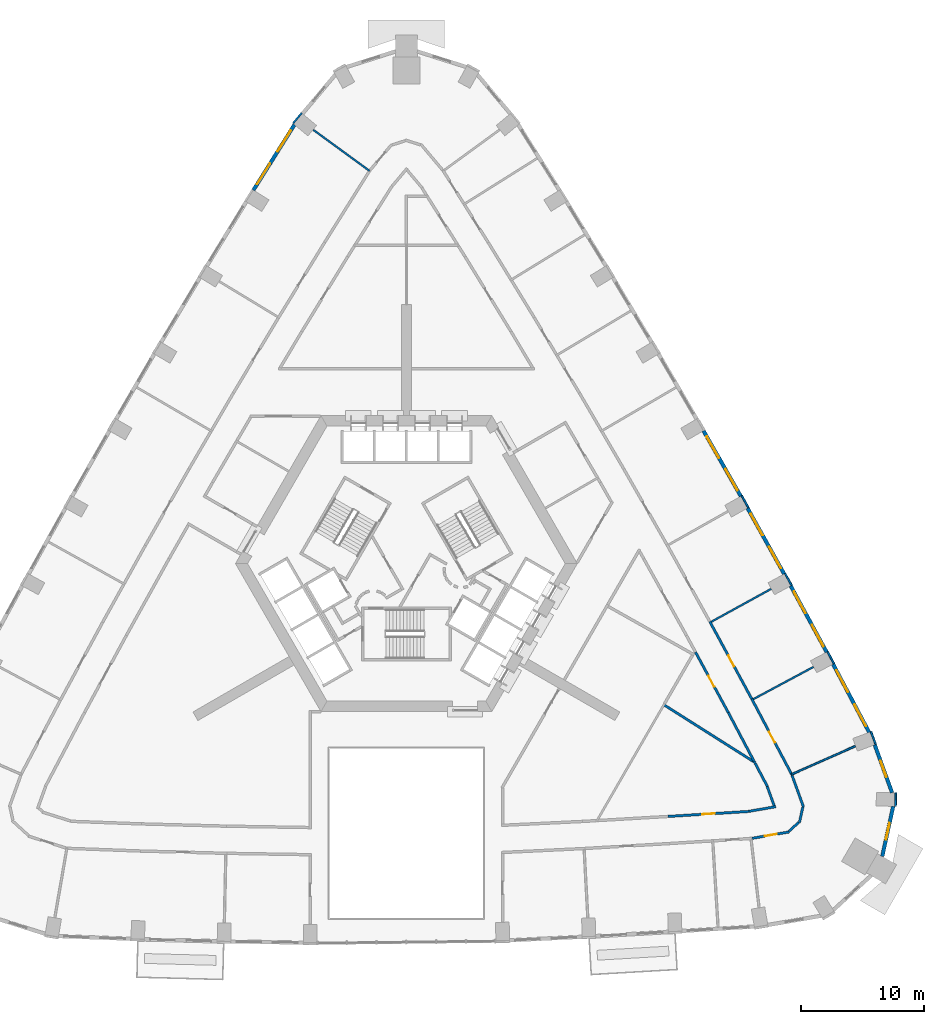
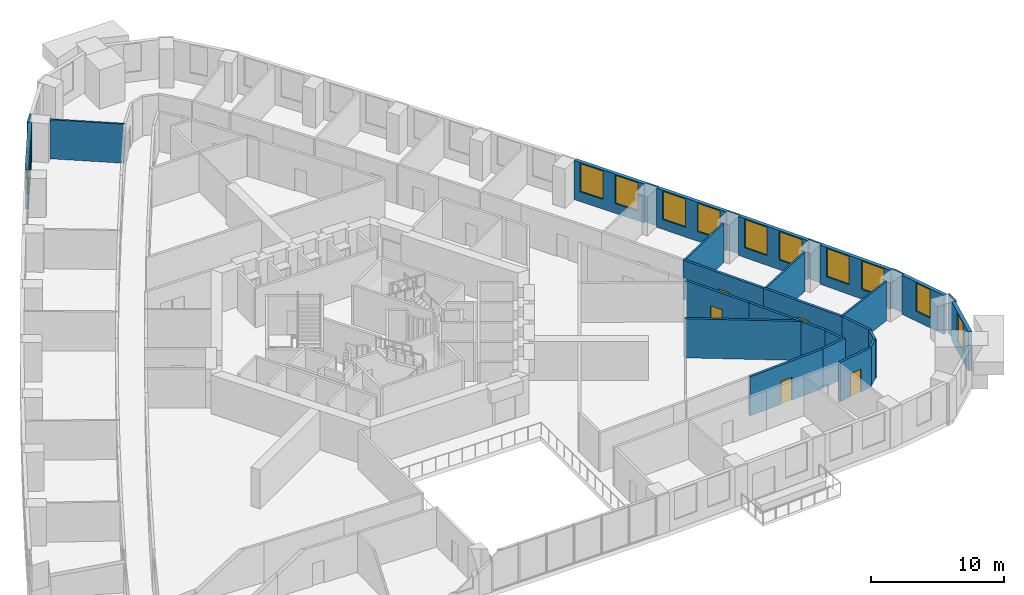
# One storey, part 11 of 15: 30 walls, 12 windows, 5 doors, 17 openings.
"""IFC4 building model written with IfcOpenShell, lengths in metres."""

from ifc_helpers import new_model, si_unit, direction, frame, frame_2d, origin, place, context, subcontext, project, spatial, rectangle, extrude, material, layer, layer_set, type_object, element, fill, save


model = new_model("IFC4")

# Units and contexts
model_context = context("Model", 3, precision=1e-05, world=origin(), true_north=direction((0.0, 1.0)))
body_context = subcontext(model_context, "Body", "Model", "MODEL_VIEW")
ifc_project = project(units=[si_unit("LENGTHUNIT", "METRE"), si_unit("AREAUNIT", "SQUARE_METRE"), si_unit("VOLUMEUNIT", "CUBIC_METRE"), si_unit("PLANEANGLEUNIT", "RADIAN"), si_unit("MASSUNIT", "GRAM", prefix="KILO")], contexts=[model_context])

# Site, building, storey
site_placement = place(None, origin())
site = spatial("IfcSite", under=ifc_project, at=site_placement, CompositionType="ELEMENT")
building_placement = place(site_placement, origin())
building = spatial("IfcBuilding", under=site, at=building_placement, Name="Entoto Arch Interchange Tower", CompositionType="ELEMENT")
storey_placement = place(building_placement, frame((0.0, 0.0, 128.60009765625)))
storey = spatial("IfcBuildingStorey", under=building, at=storey_placement, Name="L28", CompositionType="ELEMENT", Elevation=128.60009765625)

# Walls
ifc_material_1 = material(Name="Gypsum board partition on steel studs", Category="steel")
ifc_layer_1 = layer(ifc_material_1, 0.14990234375)
ifc_layer_set_1 = layer_set([ifc_layer_1], Name="Gypsum board partition on steel studs")
wall_type_1 = type_object("IfcWallType", Name="PARTITION 150", PredefinedType="PARTITIONING", material=ifc_layer_set_1)
wall_1_placement = place(storey_placement, frame((31.23291015625, -14.58203125, 0.0), z_axis=(0.0, 0.0, 1.0), x_axis=(0.914317360249, 0.404998474994, 0.0)))
element("IfcWall", 1, at=wall_1_placement, inside=storey, type_object=wall_type_1, Name="wall:L28:p136", PredefinedType="PARTITIONING", context=body_context, shape_type="SweptSolid", body=[
    extrude(rectangle(XDim=5.644775390625, YDim=0.14990234375, at=frame_2d((2.822265625, 0.0))), origin(), (0.0, 0.0, 1.0), 3.599853515625),
])
wall_2_placement = place(storey_placement, frame((28.123046875, -8.488037109375, 0.0), z_axis=(0.0, 0.0, 1.0), x_axis=(0.881406449288, 0.472358625573, 0.0)))
element("IfcWall", 2, at=wall_2_placement, inside=storey, type_object=wall_type_1, Name="wall:L28:p137", PredefinedType="PARTITIONING", context=body_context, shape_type="SweptSolid", body=[
    extrude(rectangle(XDim=5.52978515625, YDim=0.14990234375, at=frame_2d((2.764892578125, 0.0))), origin(), (0.0, 0.0, 1.0), 3.599853515625),
])
wall_3_placement = place(storey_placement, frame((24.718017578125, -2.214111328125, 0.0), z_axis=(0.0, 0.0, 1.0), x_axis=(0.876382720351, 0.481615331432, 0.0)))
element("IfcWall", 3, at=wall_3_placement, inside=storey, type_object=wall_type_1, Name="wall:L28:p138", PredefinedType="PARTITIONING", context=body_context, shape_type="SweptSolid", body=[
    extrude(rectangle(XDim=5.529541015625, YDim=0.14990234375, at=frame_2d((2.7646484375, 0.0))), origin(), (0.0, 0.0, 1.0), 3.599853515625),
])
wall_4_placement = place(storey_placement, frame((-2.989013671875, 34.340087890625, 0.0), z_axis=(0.0, 0.0, 1.0), x_axis=(-0.807932877043, 0.589274525322, 0.0)))
element("IfcWall", 4, at=wall_4_placement, inside=storey, type_object=wall_type_1, Name="wall:L28:p145", PredefinedType="PARTITIONING", context=body_context, shape_type="SweptSolid", body=[
    extrude(rectangle(XDim=5.64404296875, YDim=0.14990234375, at=frame_2d((2.822021484375, 0.0))), origin(), (0.0, 0.0, 1.0), 3.599853515625),
])

# Wall, opening, door
ifc_layer_2 = layer(ifc_material_1, 0.199951171875)
ifc_layer_set_2 = layer_set([ifc_layer_2], Name="Gypsum board partition on steel studs")
wall_type_2 = type_object("IfcWallType", Name="PARTITION 200", PredefinedType="PARTITIONING", material=ifc_layer_set_2)
wall_5_placement = place(storey_placement, frame((21.218017578125, -17.9951171875, 0.0), z_axis=(0.0, 0.0, 1.0), x_axis=(0.998092528214, 0.061735768594, 0.0)))
wall_5 = element("IfcWall", 5, at=wall_5_placement, inside=storey, type_object=wall_type_2, Name="wall:L28:p026", PredefinedType="PARTITIONING", context=body_context, shape_type="SweptSolid", body=[
    extrude(rectangle(XDim=6.576416015625, YDim=0.199951171875, at=frame_2d((3.2880859375, 0.0))), origin(), (0.0, 0.0, 1.0), 3.599853515625),
])
opening_1_placement = place(wall_5_placement, frame((2.7880859375, 0.0, 0.0)))
opening_1 = element("IfcOpeningElement", 6, at=opening_1_placement, cuts=wall_5, Name="Opening L28-D24", PredefinedType="OPENING", context=body_context, shape_type="SweptSolid", body=[
    extrude(rectangle(XDim=1.0, YDim=2.10009765625, at=frame_2d((0.5, 1.050048828125))), frame((0.0, 0.10986328125, 0.0), z_axis=(0.0, -1.0, 0.0), x_axis=(1.0, 0.0, 0.0)), (0.0, 0.0, 1.0), 0.219970703125),
])
ifc_material_2 = material(Name="Timber door leaf in Steel S235 frame", Category="steel")
door_type = type_object("IfcDoorType", Name="DOOR DS-10 1000x2100", OperationType="SINGLE_SWING_LEFT", PredefinedType="DOOR", material=ifc_material_2)
door_1_placement = place(opening_1_placement, origin())
door_1 = element("IfcDoor", 7, at=door_1_placement, inside=storey, type_object=door_type, Name="door:L28:24", OperationType="SINGLE_SWING_LEFT", OverallHeight=2.10009765625, OverallWidth=1.0, PredefinedType="DOOR", context=body_context, shape_type="SweptSolid", body=[
    extrude(rectangle(XDim=1.0, YDim=2.10009765625, at=frame_2d((0.5, 1.050048828125))), frame((0.0, 0.02490234375, 0.0), z_axis=(0.0, -1.0, 0.0), x_axis=(1.0, 0.0, 0.0)), (0.0, 0.0, 1.0), 0.050048828125),
])
fill(opening_1, door_1)

# Walls
wall_6_placement = place(storey_placement, frame((27.780029296875, -17.577880859375, 0.0), z_axis=(0.0, 0.0, 1.0), x_axis=(0.985534991456, 0.169472064409, 0.0)))
element("IfcWall", 8, at=wall_6_placement, inside=storey, type_object=wall_type_2, Name="wall:L28:p027", PredefinedType="PARTITIONING", context=body_context, shape_type="SweptSolid", body=[
    extrude(rectangle(XDim=2.19970703125, YDim=0.199951171875, at=frame_2d((1.099853515625, 0.0))), origin(), (0.0, 0.0, 1.0), 3.599853515625),
])
wall_7_placement = place(storey_placement, frame((29.81591796875, -17.1279296875, 0.0), z_axis=(0.0, 0.0, 1.0), x_axis=(-0.340726116699, 0.940162599447, 0.0)))
element("IfcWall", 9, at=wall_7_placement, inside=storey, type_object=wall_type_2, Name="wall:L28:p028", PredefinedType="PARTITIONING", context=body_context, shape_type="SweptSolid", body=[
    extrude(rectangle(XDim=1.657958984375, YDim=0.199951171875, at=frame_2d((0.8291015625, 0.0))), origin(), (0.0, 0.0, 1.0), 3.599853515625),
])
wall_8_placement = place(storey_placement, frame((29.263916015625, -15.56396484375, 0.0), z_axis=(0.0, 0.0, 1.0), x_axis=(-0.46760771465, 0.883936097917, 0.0)))
element("IfcWall", 10, at=wall_8_placement, inside=storey, type_object=wall_type_2, Name="wall:L28:p029", PredefinedType="PARTITIONING", context=body_context, shape_type="SweptSolid", body=[
    extrude(rectangle(XDim=2.123291015625, YDim=0.199951171875, at=frame_2d((1.0615234375, 0.0))), origin(), (0.0, 0.0, 1.0), 3.599853515625),
])
wall_9_placement = place(storey_placement, frame((28.177001953125, -13.510009765625, 0.0), z_axis=(0.0, 0.0, 1.0), x_axis=(-0.467580354248, 0.883950571198, 0.0)))
element("IfcWall", 11, at=wall_9_placement, inside=storey, type_object=wall_type_2, Name="wall:L28:p030", PredefinedType="PARTITIONING", context=body_context, shape_type="SweptSolid", body=[
    extrude(rectangle(XDim=4.452880859375, YDim=0.199951171875, at=frame_2d((2.2265625, 0.0))), origin(), (0.0, 0.0, 1.0), 3.599853515625),
])

# Wall, opening, door
wall_10_placement = place(storey_placement, frame((26.094970703125, -9.573974609375, 0.0), z_axis=(0.0, 0.0, 1.0), x_axis=(-0.476963271937, 0.878923226012, 0.0)))
wall_10 = element("IfcWall", 12, at=wall_10_placement, inside=storey, type_object=wall_type_2, Name="wall:L28:p031", PredefinedType="PARTITIONING", context=body_context, shape_type="SweptSolid", body=[
    extrude(rectangle(XDim=5.57275390625, YDim=0.199951171875, at=frame_2d((2.786376953125, 0.0))), origin(), (0.0, 0.0, 1.0), 3.599853515625),
])
opening_2_placement = place(wall_10_placement, frame((2.385986328125, 0.0, 0.0)))
opening_2 = element("IfcOpeningElement", 13, at=opening_2_placement, cuts=wall_10, Name="Opening L28-D25", PredefinedType="OPENING", context=body_context, shape_type="SweptSolid", body=[
    extrude(rectangle(XDim=1.0, YDim=2.10009765625, at=frame_2d((0.5, 1.050048828125))), frame((0.0, 0.10986328125, 0.0), z_axis=(0.0, -1.0, 0.0), x_axis=(1.0, 0.0, 0.0)), (0.0, 0.0, 1.0), 0.219970703125),
])
door_2_placement = place(opening_2_placement, origin())
door_2 = element("IfcDoor", 14, at=door_2_placement, inside=storey, type_object=door_type, Name="door:L28:25", OperationType="SINGLE_SWING_LEFT", OverallHeight=2.10009765625, OverallWidth=1.0, PredefinedType="DOOR", context=body_context, shape_type="SweptSolid", body=[
    extrude(rectangle(XDim=1.0, YDim=2.10009765625, at=frame_2d((0.5, 1.050048828125))), frame((0.0, 0.02490234375, 0.0), z_axis=(0.0, -1.0, 0.0), x_axis=(1.0, 0.0, 0.0)), (0.0, 0.0, 1.0), 0.050048828125),
])
fill(opening_2, door_2)

# Walls
wall_11_placement = place(storey_placement, frame((31.26806640625, -14.676025390625, 0.0), z_axis=(0.0, 0.0, 1.0), x_axis=(0.340269739222, -0.940327870782, 0.0)))
element("IfcWall", 15, at=wall_11_placement, inside=storey, type_object=wall_type_2, Name="wall:L28:p047", PredefinedType="PARTITIONING", context=body_context, shape_type="SweptSolid", body=[
    extrude(rectangle(XDim=2.715087890625, YDim=0.199951171875, at=frame_2d((1.357421875, 0.0))), origin(), (0.0, 0.0, 1.0), 3.599853515625),
])
wall_12_placement = place(storey_placement, frame((32.136962890625, -17.23193359375, 0.0), z_axis=(0.0, 0.0, 1.0), x_axis=(-0.214289506547, -0.976770191695, 0.0)))
element("IfcWall", 16, at=wall_12_placement, inside=storey, type_object=wall_type_2, Name="wall:L28:p048", PredefinedType="PARTITIONING", context=body_context, shape_type="SweptSolid", body=[
    extrude(rectangle(XDim=1.30224609375, YDim=0.199951171875, at=frame_2d((0.651123046875, 0.0))), origin(), (0.0, 0.0, 1.0), 3.599853515625),
])
wall_13_placement = place(storey_placement, frame((31.805908203125, -18.472900390625, 0.0), z_axis=(0.0, 0.0, 1.0), x_axis=(-0.739141286173, -0.673550413165, 0.0)))
element("IfcWall", 17, at=wall_13_placement, inside=storey, type_object=wall_type_2, Name="wall:L28:p049", PredefinedType="PARTITIONING", context=body_context, shape_type="SweptSolid", body=[
    extrude(rectangle(XDim=1.079345703125, YDim=0.199951171875, at=frame_2d((0.53955078125, 0.0))), origin(), (0.0, 0.0, 1.0), 3.599853515625),
])

# Wall, opening, door
wall_14_placement = place(storey_placement, frame((31.032958984375, -19.2509765625, 0.0), z_axis=(0.0, 0.0, 1.0), x_axis=(-0.985494394638, -0.169707979005, 0.0)))
wall_14 = element("IfcWall", 18, at=wall_14_placement, inside=storey, type_object=wall_type_2, Name="wall:L28:p050", PredefinedType="PARTITIONING", context=body_context, shape_type="SweptSolid", body=[
    extrude(rectangle(XDim=3.041259765625, YDim=0.199951171875, at=frame_2d((1.5205078125, 0.0))), origin(), (0.0, 0.0, 1.0), 3.599853515625),
])
opening_3_placement = place(wall_14_placement, frame((1.02099609375, 0.0, 0.0)))
opening_3 = element("IfcOpeningElement", 19, at=opening_3_placement, cuts=wall_14, Name="Opening L28-D04", PredefinedType="OPENING", context=body_context, shape_type="SweptSolid", body=[
    extrude(rectangle(XDim=1.0, YDim=2.10009765625, at=frame_2d((0.5, 1.050048828125))), frame((0.0, 0.10986328125, 0.0), z_axis=(0.0, -1.0, 0.0), x_axis=(1.0, 0.0, 0.0)), (0.0, 0.0, 1.0), 0.219970703125),
])
door_3_placement = place(opening_3_placement, origin())
door_3 = element("IfcDoor", 20, at=door_3_placement, inside=storey, type_object=door_type, Name="door:L28:04", OperationType="SINGLE_SWING_LEFT", OverallHeight=2.10009765625, OverallWidth=1.0, PredefinedType="DOOR", context=body_context, shape_type="SweptSolid", body=[
    extrude(rectangle(XDim=1.0, YDim=2.10009765625, at=frame_2d((0.5, 1.050048828125))), frame((0.0, 0.02490234375, 0.0), z_axis=(0.0, -1.0, 0.0), x_axis=(1.0, 0.0, 0.0)), (0.0, 0.0, 1.0), 0.050048828125),
])
fill(opening_3, door_3)

wall_15_placement = place(storey_placement, frame((27.9990234375, -8.468994140625, 0.0), z_axis=(0.0, 0.0, 1.0), x_axis=(0.467683043694, -0.883896244274, 0.0)))
wall_15 = element("IfcWall", 21, at=wall_15_placement, inside=storey, type_object=wall_type_2, Name="wall:L28:p051", PredefinedType="PARTITIONING", context=body_context, shape_type="SweptSolid", body=[
    extrude(rectangle(XDim=7.015380859375, YDim=0.199951171875, at=frame_2d((3.5078125, 0.0))), origin(), (0.0, 0.0, 1.0), 3.599853515625),
])
opening_4_placement = place(wall_15_placement, frame((3.008056640625, 0.0, 0.0)))
opening_4 = element("IfcOpeningElement", 22, at=opening_4_placement, cuts=wall_15, Name="Opening L28-D05", PredefinedType="OPENING", context=body_context, shape_type="SweptSolid", body=[
    extrude(rectangle(XDim=1.0, YDim=2.10009765625, at=frame_2d((0.5, 1.050048828125))), frame((0.0, 0.10986328125, 0.0), z_axis=(0.0, -1.0, 0.0), x_axis=(1.0, 0.0, 0.0)), (0.0, 0.0, 1.0), 0.219970703125),
])
door_4_placement = place(opening_4_placement, origin())
door_4 = element("IfcDoor", 23, at=door_4_placement, inside=storey, type_object=door_type, Name="door:L28:05", OperationType="SINGLE_SWING_LEFT", OverallHeight=2.10009765625, OverallWidth=1.0, PredefinedType="DOOR", context=body_context, shape_type="SweptSolid", body=[
    extrude(rectangle(XDim=1.0, YDim=2.10009765625, at=frame_2d((0.5, 1.050048828125))), frame((0.0, 0.02490234375, 0.0), z_axis=(0.0, -1.0, 0.0), x_axis=(1.0, 0.0, 0.0)), (0.0, 0.0, 1.0), 0.050048828125),
])
fill(opening_4, door_4)

wall_16_placement = place(storey_placement, frame((24.594970703125, -2.196044921875, 0.0), z_axis=(0.0, 0.0, 1.0), x_axis=(0.47695522124, -0.878927594818, 0.0)))
wall_16 = element("IfcWall", 24, at=wall_16_placement, inside=storey, type_object=wall_type_2, Name="wall:L28:p052", PredefinedType="PARTITIONING", context=body_context, shape_type="SweptSolid", body=[
    extrude(rectangle(XDim=7.136962890625, YDim=0.199951171875, at=frame_2d((3.568359375, 0.0))), origin(), (0.0, 0.0, 1.0), 3.599853515625),
])
opening_5_placement = place(wall_16_placement, frame((3.14404296875, 0.0, 0.0)))
opening_5 = element("IfcOpeningElement", 25, at=opening_5_placement, cuts=wall_16, Name="Opening L28-D06", PredefinedType="OPENING", context=body_context, shape_type="SweptSolid", body=[
    extrude(rectangle(XDim=1.0, YDim=2.10009765625, at=frame_2d((0.5, 1.050048828125))), frame((0.0, 0.10986328125, 0.0), z_axis=(0.0, -1.0, 0.0), x_axis=(1.0, 0.0, 0.0)), (0.0, 0.0, 1.0), 0.219970703125),
])
door_5_placement = place(opening_5_placement, origin())
door_5 = element("IfcDoor", 26, at=door_5_placement, inside=storey, type_object=door_type, Name="door:L28:06", OperationType="SINGLE_SWING_LEFT", OverallHeight=2.10009765625, OverallWidth=1.0, PredefinedType="DOOR", context=body_context, shape_type="SweptSolid", body=[
    extrude(rectangle(XDim=1.0, YDim=2.10009765625, at=frame_2d((0.5, 1.050048828125))), frame((0.0, 0.02490234375, 0.0), z_axis=(0.0, -1.0, 0.0), x_axis=(1.0, 0.0, 0.0)), (0.0, 0.0, 1.0), 0.050048828125),
])
fill(opening_5, door_5)

# Wall
wall_17_placement = place(storey_placement, frame((20.85302734375, -8.930908203125, 0.0), z_axis=(0.0, 0.0, 1.0), x_axis=(0.844869091455, -0.534973100542, 0.0)))
element("IfcWall", 27, at=wall_17_placement, inside=storey, type_object=wall_type_2, Name="wall:L28:p132", PredefinedType="PARTITIONING", context=body_context, shape_type="SweptSolid", body=[
    extrude(rectangle(XDim=8.8251953125, YDim=0.199951171875, at=frame_2d((4.41259765625, 0.0))), origin(), (0.0, 0.0, 1.0), 3.599853515625),
])

# Wall, opening, window
ifc_material_3 = material(Name="Welded tuff (ignimbrite) cladding, warm buff", Category="masonry")
ifc_layer_3 = layer(ifc_material_3, 0.300048828125)
ifc_layer_set_3 = layer_set([ifc_layer_3], Name="Welded tuff (ignimbrite) cladding, warm buff")
wall_type_3 = type_object("IfcWallType", Name="STONE INFILL WALL 300", PredefinedType="STANDARD", material=ifc_layer_set_3)
wall_18_placement = place(storey_placement, frame((38.5791015625, -21.236083984375, 0.0), z_axis=(0.0, 0.0, 1.0), x_axis=(0.2139737857, 0.976839402887, 0.0)))
wall_18 = element("IfcWall", 28, at=wall_18_placement, inside=storey, type_object=wall_type_3, Name="Facade wall SE-03 L28", PredefinedType="STANDARD", context=body_context, shape_type="SweptSolid", body=[
    extrude(rectangle(XDim=4.154296875, YDim=0.300048828125, at=frame_2d((2.0771484375, 0.0))), origin(), (0.0, 0.0, 1.0), 3.599853515625),
])
opening_6_placement = place(wall_18_placement, frame((1.376953125, 0.0, 0.89990234375)))
opening_6 = element("IfcOpeningElement", 29, at=opening_6_placement, cuts=wall_18, Name="Opening WO-B", PredefinedType="OPENING", context=body_context, shape_type="SweptSolid", body=[
    extrude(rectangle(XDim=1.39990234375, YDim=2.60009765625, at=frame_2d((0.699951171875, 1.300048828125))), frame((0.0, 0.16015625, 0.0), z_axis=(0.0, -1.0, 0.0), x_axis=(1.0, 0.0, 0.0)), (0.0, 0.0, 1.0), 0.320068359375),
])
ifc_material_4 = material(Name="Clear glass, low-e double glazed", Category="glass")
window_type_1 = type_object("IfcWindowType", Name="WINDOW WO-B 1400x2600", PartitioningType="DOUBLE_PANEL_VERTICAL", PredefinedType="WINDOW", material=ifc_material_4)
window_1_placement = place(opening_6_placement, origin())
window_1 = element("IfcWindow", 30, at=window_1_placement, inside=storey, type_object=window_type_1, Name="Window WO-B SE-03 L28", OverallHeight=2.60009765625, OverallWidth=1.39990234375, PartitioningType="SINGLE_PANEL", PredefinedType="WINDOW", context=body_context, shape_type="SweptSolid", body=[
    extrude(rectangle(XDim=1.39990234375, YDim=2.60009765625, at=frame_2d((0.699951171875, 1.300048828125))), frame((0.0, 0.030029296875, 0.0), z_axis=(0.0, -1.0, 0.0), x_axis=(1.0, 0.0, 0.0)), (0.0, 0.0, 1.0), 0.06005859375),
])
fill(opening_6, window_1)

wall_19_placement = place(storey_placement, frame((39.37890625, -16.076904296875, 0.0), z_axis=(0.0, 0.0, 1.0), x_axis=(-0.340477955209, 0.940252499075, 0.0)))
wall_19 = element("IfcWall", 31, at=wall_19_placement, inside=storey, type_object=wall_type_3, Name="Facade wall SE-04 L28", PredefinedType="STANDARD", context=body_context, shape_type="SweptSolid", body=[
    extrude(rectangle(XDim=4.13818359375, YDim=0.300048828125, at=frame_2d((2.069091796875, 0.0))), origin(), (0.0, 0.0, 1.0), 3.599853515625),
])
opening_7_placement = place(wall_19_placement, frame((1.368896484375, 0.0, 0.89990234375)))
opening_7 = element("IfcOpeningElement", 32, at=opening_7_placement, cuts=wall_19, Name="Opening WO-B", PredefinedType="OPENING", context=body_context, shape_type="SweptSolid", body=[
    extrude(rectangle(XDim=1.39990234375, YDim=2.60009765625, at=frame_2d((0.699951171875, 1.300048828125))), frame((0.0, 0.16015625, 0.0), z_axis=(0.0, -1.0, 0.0), x_axis=(1.0, 0.0, 0.0)), (0.0, 0.0, 1.0), 0.320068359375),
])
window_2_placement = place(opening_7_placement, origin())
window_2 = element("IfcWindow", 33, at=window_2_placement, inside=storey, type_object=window_type_1, Name="Window WO-B SE-04 L28", OverallHeight=2.60009765625, OverallWidth=1.39990234375, PartitioningType="SINGLE_PANEL", PredefinedType="WINDOW", context=body_context, shape_type="SweptSolid", body=[
    extrude(rectangle(XDim=1.39990234375, YDim=2.60009765625, at=frame_2d((0.699951171875, 1.300048828125))), frame((0.0, 0.030029296875, 0.0), z_axis=(0.0, -1.0, 0.0), x_axis=(1.0, 0.0, 0.0)), (0.0, 0.0, 1.0), 0.06005859375),
])
fill(opening_7, window_2)

# Wall, openings, windows
wall_20_placement = place(storey_placement, frame((37.52294921875, -11.180908203125, 0.0), z_axis=(0.0, 0.0, 1.0), x_axis=(-0.467654949391, 0.883911108828, 0.0)))
wall_20 = element("IfcWall", 34, at=wall_20_placement, inside=storey, type_object=wall_type_3, Name="Facade wall NE-01 L28", PredefinedType="STANDARD", context=body_context, shape_type="SweptSolid", body=[
    extrude(rectangle(XDim=6.26513671875, YDim=0.300048828125, at=frame_2d((3.132568359375, 0.0))), origin(), (0.0, 0.0, 1.0), 3.599853515625),
])
opening_8_placement = place(wall_20_placement, frame((0.56591796875, 0.0, 0.89990234375)))
opening_8 = element("IfcOpeningElement", 35, at=opening_8_placement, cuts=wall_20, Name="Opening WO-C", PredefinedType="OPENING", context=body_context, shape_type="SweptSolid", body=[
    extrude(rectangle(XDim=2.0, YDim=2.60009765625, at=frame_2d((1.0, 1.300048828125))), frame((0.0, 0.16015625, 0.0), z_axis=(0.0, -1.0, 0.0), x_axis=(1.0, 0.0, 0.0)), (0.0, 0.0, 1.0), 0.320068359375),
])
opening_9_placement = place(wall_20_placement, frame((3.698974609375, 0.0, 0.89990234375)))
opening_9 = element("IfcOpeningElement", 36, at=opening_9_placement, cuts=wall_20, Name="Opening WO-C", PredefinedType="OPENING", context=body_context, shape_type="SweptSolid", body=[
    extrude(rectangle(XDim=2.0, YDim=2.60009765625, at=frame_2d((1.0, 1.300048828125))), frame((0.0, 0.16015625, 0.0), z_axis=(0.0, -1.0, 0.0), x_axis=(1.0, 0.0, 0.0)), (0.0, 0.0, 1.0), 0.320068359375),
])
window_type_2 = type_object("IfcWindowType", Name="WINDOW WO-C 2000x2600", PartitioningType="DOUBLE_PANEL_VERTICAL", PredefinedType="WINDOW", material=ifc_material_4)
window_3_placement = place(opening_8_placement, origin())
window_3 = element("IfcWindow", 37, at=window_3_placement, inside=storey, type_object=window_type_2, Name="Window WO-C NE-01 L28", OverallHeight=2.60009765625, OverallWidth=2.0, PartitioningType="SINGLE_PANEL", PredefinedType="WINDOW", context=body_context, shape_type="SweptSolid", body=[
    extrude(rectangle(XDim=2.0, YDim=2.60009765625, at=frame_2d((1.0, 1.300048828125))), frame((0.0, 0.030029296875, 0.0), z_axis=(0.0, -1.0, 0.0), x_axis=(1.0, 0.0, 0.0)), (0.0, 0.0, 1.0), 0.06005859375),
])
fill(opening_8, window_3)
window_4_placement = place(opening_9_placement, origin())
window_4 = element("IfcWindow", 38, at=window_4_placement, inside=storey, type_object=window_type_2, Name="Window WO-C NE-01 L28", OverallHeight=2.60009765625, OverallWidth=2.0, PartitioningType="SINGLE_PANEL", PredefinedType="WINDOW", context=body_context, shape_type="SweptSolid", body=[
    extrude(rectangle(XDim=2.0, YDim=2.60009765625, at=frame_2d((1.0, 1.300048828125))), frame((0.0, 0.030029296875, 0.0), z_axis=(0.0, -1.0, 0.0), x_axis=(1.0, 0.0, 0.0)), (0.0, 0.0, 1.0), 0.06005859375),
])
fill(opening_9, window_4)

wall_21_placement = place(storey_placement, frame((34.074951171875, -4.675048828125, 0.0), z_axis=(0.0, 0.0, 1.0), x_axis=(-0.476982616152, 0.878912728255, 0.0)))
wall_21 = element("IfcWall", 39, at=wall_21_placement, inside=storey, type_object=wall_type_3, Name="Facade wall NE-02 L28", PredefinedType="STANDARD", context=body_context, shape_type="SweptSolid", body=[
    extrude(rectangle(XDim=6.115478515625, YDim=0.300048828125, at=frame_2d((3.0576171875, 0.0))), origin(), (0.0, 0.0, 1.0), 3.599853515625),
])
opening_10_placement = place(wall_21_placement, frame((0.529052734375, 0.0, 0.89990234375)))
opening_10 = element("IfcOpeningElement", 40, at=opening_10_placement, cuts=wall_21, Name="Opening WO-C", PredefinedType="OPENING", context=body_context, shape_type="SweptSolid", body=[
    extrude(rectangle(XDim=2.0, YDim=2.60009765625, at=frame_2d((1.0, 1.300048828125))), frame((0.0, 0.16015625, 0.0), z_axis=(0.0, -1.0, 0.0), x_axis=(1.0, 0.0, 0.0)), (0.0, 0.0, 1.0), 0.320068359375),
])
opening_11_placement = place(wall_21_placement, frame((3.5869140625, 0.0, 0.89990234375)))
opening_11 = element("IfcOpeningElement", 41, at=opening_11_placement, cuts=wall_21, Name="Opening WO-C", PredefinedType="OPENING", context=body_context, shape_type="SweptSolid", body=[
    extrude(rectangle(XDim=2.0, YDim=2.60009765625, at=frame_2d((1.0, 1.300048828125))), frame((0.0, 0.16015625, 0.0), z_axis=(0.0, -1.0, 0.0), x_axis=(1.0, 0.0, 0.0)), (0.0, 0.0, 1.0), 0.320068359375),
])
window_5_placement = place(opening_10_placement, origin())
window_5 = element("IfcWindow", 42, at=window_5_placement, inside=storey, type_object=window_type_2, Name="Window WO-C NE-02 L28", OverallHeight=2.60009765625, OverallWidth=2.0, PartitioningType="SINGLE_PANEL", PredefinedType="WINDOW", context=body_context, shape_type="SweptSolid", body=[
    extrude(rectangle(XDim=2.0, YDim=2.60009765625, at=frame_2d((1.0, 1.300048828125))), frame((0.0, 0.030029296875, 0.0), z_axis=(0.0, -1.0, 0.0), x_axis=(1.0, 0.0, 0.0)), (0.0, 0.0, 1.0), 0.06005859375),
])
fill(opening_10, window_5)
window_6_placement = place(opening_11_placement, origin())
window_6 = element("IfcWindow", 43, at=window_6_placement, inside=storey, type_object=window_type_2, Name="Window WO-C NE-02 L28", OverallHeight=2.60009765625, OverallWidth=2.0, PartitioningType="SINGLE_PANEL", PredefinedType="WINDOW", context=body_context, shape_type="SweptSolid", body=[
    extrude(rectangle(XDim=2.0, YDim=2.60009765625, at=frame_2d((1.0, 1.300048828125))), frame((0.0, 0.030029296875, 0.0), z_axis=(0.0, -1.0, 0.0), x_axis=(1.0, 0.0, 0.0)), (0.0, 0.0, 1.0), 0.06005859375),
])
fill(opening_11, window_6)

wall_22_placement = place(storey_placement, frame((30.62890625, 1.662109375, 0.0), z_axis=(0.0, 0.0, 1.0), x_axis=(-0.486229342917, 0.873831234327, 0.0)))
wall_22 = element("IfcWall", 44, at=wall_22_placement, inside=storey, type_object=wall_type_3, Name="Facade wall NE-03 L28", PredefinedType="STANDARD", context=body_context, shape_type="SweptSolid", body=[
    extrude(rectangle(XDim=6.1142578125, YDim=0.300048828125, at=frame_2d((3.05712890625, 0.0))), origin(), (0.0, 0.0, 1.0), 3.599853515625),
])
opening_12_placement = place(wall_22_placement, frame((0.529052734375, 0.0, 0.89990234375)))
opening_12 = element("IfcOpeningElement", 45, at=opening_12_placement, cuts=wall_22, Name="Opening WO-C", PredefinedType="OPENING", context=body_context, shape_type="SweptSolid", body=[
    extrude(rectangle(XDim=2.0, YDim=2.60009765625, at=frame_2d((1.0, 1.300048828125))), frame((0.0, 0.16015625, 0.0), z_axis=(0.0, -1.0, 0.0), x_axis=(1.0, 0.0, 0.0)), (0.0, 0.0, 1.0), 0.320068359375),
])
opening_13_placement = place(wall_22_placement, frame((3.5859375, 0.0, 0.89990234375)))
opening_13 = element("IfcOpeningElement", 46, at=opening_13_placement, cuts=wall_22, Name="Opening WO-C", PredefinedType="OPENING", context=body_context, shape_type="SweptSolid", body=[
    extrude(rectangle(XDim=2.0, YDim=2.60009765625, at=frame_2d((1.0, 1.300048828125))), frame((0.0, 0.16015625, 0.0), z_axis=(0.0, -1.0, 0.0), x_axis=(1.0, 0.0, 0.0)), (0.0, 0.0, 1.0), 0.320068359375),
])
window_7_placement = place(opening_12_placement, origin())
window_7 = element("IfcWindow", 47, at=window_7_placement, inside=storey, type_object=window_type_2, Name="Window WO-C NE-03 L28", OverallHeight=2.60009765625, OverallWidth=2.0, PartitioningType="SINGLE_PANEL", PredefinedType="WINDOW", context=body_context, shape_type="SweptSolid", body=[
    extrude(rectangle(XDim=2.0, YDim=2.60009765625, at=frame_2d((1.0, 1.300048828125))), frame((0.0, 0.030029296875, 0.0), z_axis=(0.0, -1.0, 0.0), x_axis=(1.0, 0.0, 0.0)), (0.0, 0.0, 1.0), 0.06005859375),
])
fill(opening_12, window_7)
window_8_placement = place(opening_13_placement, origin())
window_8 = element("IfcWindow", 48, at=window_8_placement, inside=storey, type_object=window_type_2, Name="Window WO-C NE-03 L28", OverallHeight=2.60009765625, OverallWidth=2.0, PartitioningType="SINGLE_PANEL", PredefinedType="WINDOW", context=body_context, shape_type="SweptSolid", body=[
    extrude(rectangle(XDim=2.0, YDim=2.60009765625, at=frame_2d((1.0, 1.300048828125))), frame((0.0, 0.030029296875, 0.0), z_axis=(0.0, -1.0, 0.0), x_axis=(1.0, 0.0, 0.0)), (0.0, 0.0, 1.0), 0.06005859375),
])
fill(opening_13, window_8)

wall_23_placement = place(storey_placement, frame((27.116943359375, 7.9609375, 0.0), z_axis=(0.0, 0.0, 1.0), x_axis=(-0.495472401298, 0.868623681206, 0.0)))
wall_23 = element("IfcWall", 49, at=wall_23_placement, inside=storey, type_object=wall_type_3, Name="Facade wall NE-04 L28", PredefinedType="STANDARD", context=body_context, shape_type="SweptSolid", body=[
    extrude(rectangle(XDim=6.115478515625, YDim=0.300048828125, at=frame_2d((3.0576171875, 0.0))), origin(), (0.0, 0.0, 1.0), 3.599853515625),
])
opening_14_placement = place(wall_23_placement, frame((0.529052734375, 0.0, 0.89990234375)))
opening_14 = element("IfcOpeningElement", 50, at=opening_14_placement, cuts=wall_23, Name="Opening WO-C", PredefinedType="OPENING", context=body_context, shape_type="SweptSolid", body=[
    extrude(rectangle(XDim=2.0, YDim=2.60009765625, at=frame_2d((1.0, 1.300048828125))), frame((0.0, 0.16015625, 0.0), z_axis=(0.0, -1.0, 0.0), x_axis=(1.0, 0.0, 0.0)), (0.0, 0.0, 1.0), 0.320068359375),
])
opening_15_placement = place(wall_23_placement, frame((3.5869140625, 0.0, 0.89990234375)))
opening_15 = element("IfcOpeningElement", 51, at=opening_15_placement, cuts=wall_23, Name="Opening WO-C", PredefinedType="OPENING", context=body_context, shape_type="SweptSolid", body=[
    extrude(rectangle(XDim=2.0, YDim=2.60009765625, at=frame_2d((1.0, 1.300048828125))), frame((0.0, 0.16015625, 0.0), z_axis=(0.0, -1.0, 0.0), x_axis=(1.0, 0.0, 0.0)), (0.0, 0.0, 1.0), 0.320068359375),
])
window_9_placement = place(opening_14_placement, origin())
window_9 = element("IfcWindow", 52, at=window_9_placement, inside=storey, type_object=window_type_2, Name="Window WO-C NE-04 L28", OverallHeight=2.60009765625, OverallWidth=2.0, PartitioningType="SINGLE_PANEL", PredefinedType="WINDOW", context=body_context, shape_type="SweptSolid", body=[
    extrude(rectangle(XDim=2.0, YDim=2.60009765625, at=frame_2d((1.0, 1.300048828125))), frame((0.0, 0.030029296875, 0.0), z_axis=(0.0, -1.0, 0.0), x_axis=(1.0, 0.0, 0.0)), (0.0, 0.0, 1.0), 0.06005859375),
])
fill(opening_14, window_9)
window_10_placement = place(opening_15_placement, origin())
window_10 = element("IfcWindow", 53, at=window_10_placement, inside=storey, type_object=window_type_2, Name="Window WO-C NE-04 L28", OverallHeight=2.60009765625, OverallWidth=2.0, PartitioningType="SINGLE_PANEL", PredefinedType="WINDOW", context=body_context, shape_type="SweptSolid", body=[
    extrude(rectangle(XDim=2.0, YDim=2.60009765625, at=frame_2d((1.0, 1.300048828125))), frame((0.0, 0.030029296875, 0.0), z_axis=(0.0, -1.0, 0.0), x_axis=(1.0, 0.0, 0.0)), (0.0, 0.0, 1.0), 0.06005859375),
])
fill(opening_15, window_10)

wall_24_placement = place(storey_placement, frame((-9.0791015625, 38.0859375, 0.0), z_axis=(0.0, 0.0, 1.0), x_axis=(-0.53160564075, -0.846991996847, 0.0)))
wall_24 = element("IfcWall", 54, at=wall_24_placement, inside=storey, type_object=wall_type_3, Name="Facade wall NW-01 L28", PredefinedType="STANDARD", context=body_context, shape_type="SweptSolid", body=[
    extrude(rectangle(XDim=6.265625, YDim=0.300048828125, at=frame_2d((3.1328125, 0.0))), origin(), (0.0, 0.0, 1.0), 3.599853515625),
])
opening_16_placement = place(wall_24_placement, frame((0.56591796875, 0.0, 0.89990234375)))
opening_16 = element("IfcOpeningElement", 55, at=opening_16_placement, cuts=wall_24, Name="Opening WO-C", PredefinedType="OPENING", context=body_context, shape_type="SweptSolid", body=[
    extrude(rectangle(XDim=2.0, YDim=2.60009765625, at=frame_2d((1.0, 1.300048828125))), frame((0.0, 0.16015625, 0.0), z_axis=(0.0, -1.0, 0.0), x_axis=(1.0, 0.0, 0.0)), (0.0, 0.0, 1.0), 0.320068359375),
])
opening_17_placement = place(wall_24_placement, frame((3.698974609375, 0.0, 0.89990234375)))
opening_17 = element("IfcOpeningElement", 56, at=opening_17_placement, cuts=wall_24, Name="Opening WO-C", PredefinedType="OPENING", context=body_context, shape_type="SweptSolid", body=[
    extrude(rectangle(XDim=2.0, YDim=2.60009765625, at=frame_2d((1.0, 1.300048828125))), frame((0.0, 0.16015625, 0.0), z_axis=(0.0, -1.0, 0.0), x_axis=(1.0, 0.0, 0.0)), (0.0, 0.0, 1.0), 0.320068359375),
])
window_11_placement = place(opening_16_placement, origin())
window_11 = element("IfcWindow", 57, at=window_11_placement, inside=storey, type_object=window_type_2, Name="Window WO-C NW-01 L28", OverallHeight=2.60009765625, OverallWidth=2.0, PartitioningType="SINGLE_PANEL", PredefinedType="WINDOW", context=body_context, shape_type="SweptSolid", body=[
    extrude(rectangle(XDim=2.0, YDim=2.60009765625, at=frame_2d((1.0, 1.300048828125))), frame((0.0, 0.030029296875, 0.0), z_axis=(0.0, -1.0, 0.0), x_axis=(1.0, 0.0, 0.0)), (0.0, 0.0, 1.0), 0.06005859375),
])
fill(opening_16, window_11)
window_12_placement = place(opening_17_placement, origin())
window_12 = element("IfcWindow", 58, at=window_12_placement, inside=storey, type_object=window_type_2, Name="Window WO-C NW-01 L28", OverallHeight=2.60009765625, OverallWidth=2.0, PartitioningType="SINGLE_PANEL", PredefinedType="WINDOW", context=body_context, shape_type="SweptSolid", body=[
    extrude(rectangle(XDim=2.0, YDim=2.60009765625, at=frame_2d((1.0, 1.300048828125))), frame((0.0, 0.030029296875, 0.0), z_axis=(0.0, -1.0, 0.0), x_axis=(1.0, 0.0, 0.0)), (0.0, 0.0, 1.0), 0.06005859375),
])
fill(opening_17, window_12)

# Walls
ifc_layer_4 = layer(ifc_material_3, 0.14990234375)
ifc_layer_set_4 = layer_set([ifc_layer_4], Name="Welded tuff (ignimbrite) cladding, warm buff")
wall_type_4 = type_object("IfcWallType", Name="STONE PIER CLADDING 150", PredefinedType="STANDARD", material=ifc_layer_set_4)
wall_25_placement = place(storey_placement, frame((38.044921875, -12.159912109375, 0.0), z_axis=(0.0, 0.0, 1.0), x_axis=(-0.347010833361, 0.937861120598, 0.0)))
element("IfcWall", 59, at=wall_25_placement, inside=storey, type_object=wall_type_4, Name="Stone pier NE01 L28", PredefinedType="STANDARD", context=body_context, shape_type="SweptSolid", body=[
    extrude(rectangle(XDim=1.100341796875, YDim=0.14990234375, at=frame_2d((0.55029296875, 0.0))), origin(), (0.0, 0.0, 1.0), 3.599853515625),
])
wall_26_placement = place(storey_placement, frame((34.660888671875, -5.60791015625, 0.0), z_axis=(0.0, 0.0, 1.0), x_axis=(-0.46919310775, 0.883095593716, 0.0)))
element("IfcWall", 60, at=wall_26_placement, inside=storey, type_object=wall_type_4, Name="Stone pier NE02 L28", PredefinedType="STANDARD", context=body_context, shape_type="SweptSolid", body=[
    extrude(rectangle(XDim=1.099365234375, YDim=0.14990234375, at=frame_2d((0.5498046875, 0.0))), origin(), (0.0, 0.0, 1.0), 3.599853515625),
])
wall_27_placement = place(storey_placement, frame((31.22607421875, 0.735107421875, 0.0), z_axis=(0.0, 0.0, 1.0), x_axis=(-0.479737645119, 0.877411985247, 0.0)))
element("IfcWall", 61, at=wall_27_placement, inside=storey, type_object=wall_type_4, Name="Stone pier NE03 L28", PredefinedType="STANDARD", context=body_context, shape_type="SweptSolid", body=[
    extrude(rectangle(XDim=1.100830078125, YDim=0.14990234375, at=frame_2d((0.55029296875, 0.0))), origin(), (0.0, 0.0, 1.0), 3.599853515625),
])
wall_28_placement = place(storey_placement, frame((27.72412109375, 7.0419921875, 0.0), z_axis=(0.0, 0.0, 1.0), x_axis=(-0.490008344094, 0.871717742574, 0.0)))
element("IfcWall", 62, at=wall_28_placement, inside=storey, type_object=wall_type_4, Name="Stone pier NE04 L28", PredefinedType="STANDARD", context=body_context, shape_type="SweptSolid", body=[
    extrude(rectangle(XDim=1.10009765625, YDim=0.14990234375, at=frame_2d((0.550048828125, 0.0))), origin(), (0.0, 0.0, 1.0), 3.599853515625),
])
wall_29_placement = place(storey_placement, frame((-8.491943359375, 39.027099609375, 0.0), z_axis=(0.0, 0.0, 1.0), x_axis=(-0.638566874111, -0.769566337159, 0.0)))
element("IfcWall", 63, at=wall_29_placement, inside=storey, type_object=wall_type_4, Name="Stone pier NW01 L28", PredefinedType="STANDARD", context=body_context, shape_type="SweptSolid", body=[
    extrude(rectangle(XDim=1.099609375, YDim=0.14990234375, at=frame_2d((0.5498046875, 0.0))), origin(), (0.0, 0.0, 1.0), 3.599853515625),
])
wall_30_placement = place(storey_placement, frame((39.653076171875, -17.18310546875, 0.0), z_axis=(0.0, 0.0, 1.0), x_axis=(0.023517683673, 0.999723421029, 0.0)))
element("IfcWall", 64, at=wall_30_placement, inside=storey, type_object=wall_type_4, Name="Stone pier SE3 L28", PredefinedType="STANDARD", context=body_context, shape_type="SweptSolid", body=[
    extrude(rectangle(XDim=1.100341796875, YDim=0.14990234375, at=frame_2d((0.55029296875, 0.0))), origin(), (0.0, 0.0, 1.0), 3.599853515625),
])

save(model, "model.ifc")
